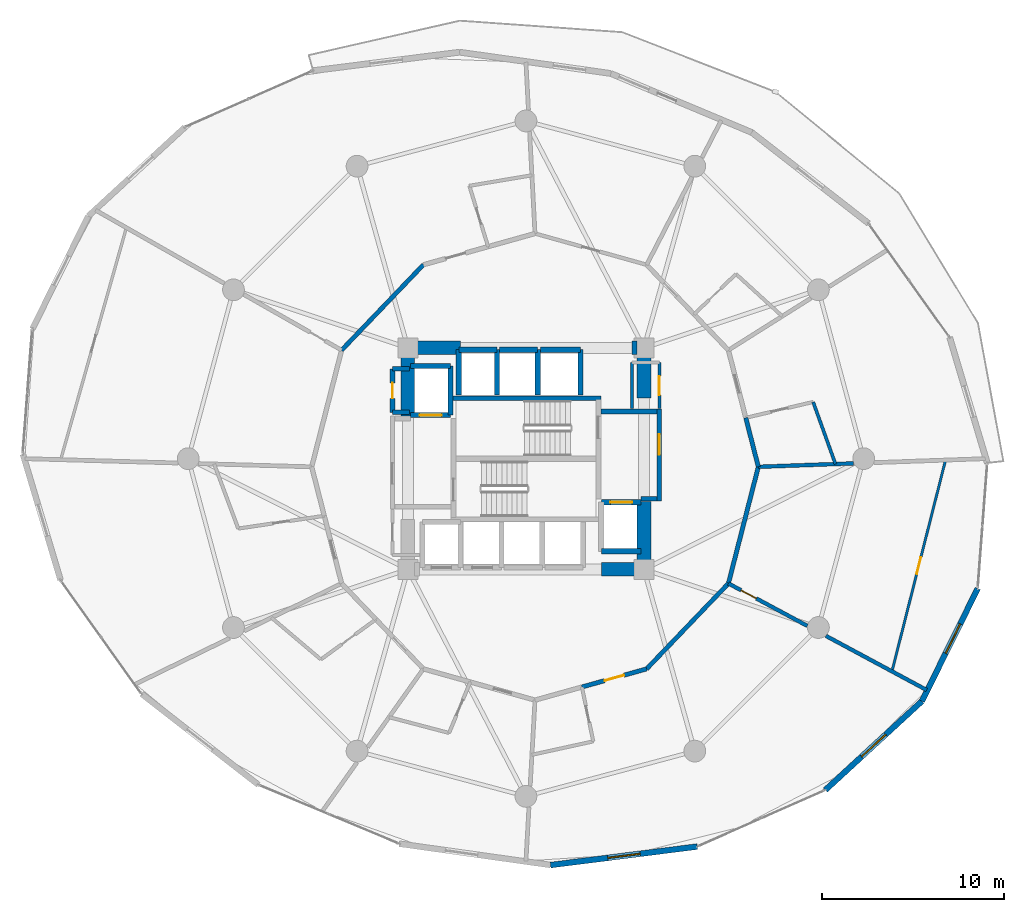
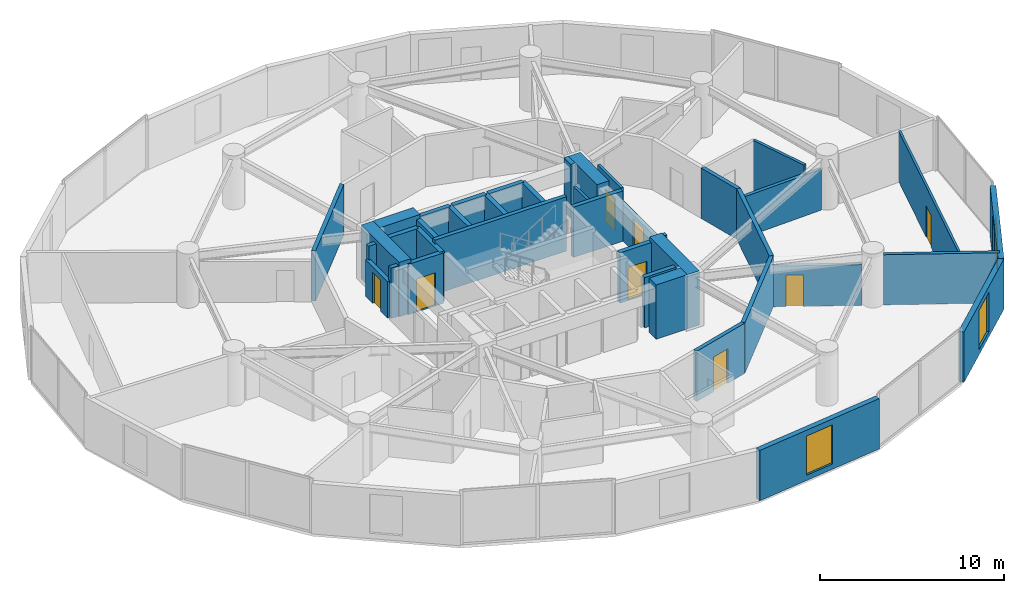
# One storey, part 20 of 25: 40 walls, 8 doors, 3 windows, 11 openings.
"""IFC4 building model written with IfcOpenShell, lengths in metres."""

from ifc_helpers import new_model, si_unit, direction, frame, frame_2d, origin, place, context, subcontext, project, spatial, rectangle, extrude, material, layer, layer_set, type_object, element, fill, save


model = new_model("IFC4")

# Units and contexts
model_context = context("Model", 3, precision=1e-05, world=origin(), true_north=direction((0.0, 1.0)))
body_context = subcontext(model_context, "Body", "Model", "MODEL_VIEW")
ifc_project = project(units=[si_unit("LENGTHUNIT", "METRE"), si_unit("AREAUNIT", "SQUARE_METRE"), si_unit("VOLUMEUNIT", "CUBIC_METRE"), si_unit("PLANEANGLEUNIT", "RADIAN"), si_unit("MASSUNIT", "GRAM", prefix="KILO")], contexts=[model_context])

# Site, building, storey
site_placement = place(None, origin())
site = spatial("IfcSite", under=ifc_project, at=site_placement, CompositionType="ELEMENT")
building_placement = place(site_placement, origin())
building = spatial("IfcBuilding", under=site, at=building_placement, Name="Solvirekh Grand Hotel", CompositionType="ELEMENT")
storey_placement = place(building_placement, frame((0.0, 0.0, 60.800048828125)))
storey = spatial("IfcBuildingStorey", under=building, at=storey_placement, Name="L14", CompositionType="ELEMENT", Elevation=60.800048828125)

# Walls
ifc_material_1 = material(Name="Concrete C50/60", Category="concrete")
ifc_layer_1 = layer(ifc_material_1, 0.35009765625)
ifc_layer_set_1 = layer_set([ifc_layer_1], Name="Concrete C50/60")
wall_type_1 = type_object("IfcWallType", Name="CoreDivWall_RC350", PredefinedType="SOLIDWALL", material=ifc_layer_set_1)
wall_1_placement = place(storey_placement, frame((-4.1298828125, 3.324951171875, 0.0), z_axis=(0.0, 0.0, 1.0), x_axis=(1.0, 0.0, 0.0)))
element("IfcWall", 1, at=wall_1_placement, inside=storey, type_object=wall_type_1, Name="L14 core stair box wall ST-N", PredefinedType="SOLIDWALL", context=body_context, shape_type="SweptSolid", body=[
    extrude(rectangle(XDim=8.259765625, YDim=0.25, at=frame_2d((4.1298828125, 0.0))), origin(), (0.0, 0.0, 1.0), 3.599853515625),
])
ifc_material_2 = material(Name="Concrete C40/50", Category="concrete")
ifc_layer_2 = layer(ifc_material_2, 0.280029296875)
ifc_layer_set_2 = layer_set([ifc_layer_2], Name="Concrete C40/50")
wall_type_2 = type_object("IfcWallType", Name="CoreShaftWall_RC280", PredefinedType="SOLIDWALL", material=ifc_layer_set_2)
wall_2_placement = place(storey_placement, frame((-1.60009765625, 6.0, 0.0), z_axis=(0.0, 0.0, 1.0), x_axis=(-1.0, 0.0, 0.0)))
element("IfcWall", 2, at=wall_2_placement, inside=storey, type_object=wall_type_2, Name="L14 HP-1 hoistway N wall", PredefinedType="SOLIDWALL", context=body_context, shape_type="SweptSolid", body=[
    extrude(rectangle(XDim=2.099853515625, YDim=0.280029296875, at=frame_2d((1.0498046875, 0.0))), origin(), (0.0, 0.0, 1.0), 3.33984375),
])
for number, where, z_axis, x_axis, name in (
    (3, (-3.699951171875, 6.0, 0.0), (0.0, 0.0, 1.0), (0.0, -1.0, 0.0), "L14 HP-1 hoistway W wall"),
    (4, (-1.60009765625, 3.5, 0.0), (0.0, 0.0, 1.0), (0.0, 1.0, 0.0), "L14 HP-1 hoistway E wall"),
):
    element("IfcWall", number, at=place(storey_placement, frame(where, z_axis=z_axis, x_axis=x_axis)), inside=storey, type_object=wall_type_2, Name=name, PredefinedType="SOLIDWALL", context=body_context, shape_type="SweptSolid", body=[
        extrude(rectangle(XDim=2.5, YDim=0.280029296875, at=frame_2d((1.25, 0.0))), origin(), (0.0, 0.0, 1.0), 3.33984375),
    ])
wall_3_placement = place(storey_placement, frame((0.64990234375, 6.0, 0.0), z_axis=(0.0, 0.0, 1.0), x_axis=(-1.0, 0.0, 0.0)))
element("IfcWall", 5, at=wall_3_placement, inside=storey, type_object=wall_type_2, Name="L14 HP-2 hoistway N wall", PredefinedType="SOLIDWALL", context=body_context, shape_type="SweptSolid", body=[
    extrude(rectangle(XDim=2.099853515625, YDim=0.280029296875, at=frame_2d((1.0498046875, 0.0))), origin(), (0.0, 0.0, 1.0), 3.33984375),
])
wall_4_placement = place(storey_placement, frame((0.64990234375, 3.5, 0.0), z_axis=(0.0, 0.0, 1.0), x_axis=(0.0, 1.0, 0.0)))
element("IfcWall", 6, at=wall_4_placement, inside=storey, type_object=wall_type_2, Name="L14 HP-2 hoistway E wall", PredefinedType="SOLIDWALL", context=body_context, shape_type="SweptSolid", body=[
    extrude(rectangle(XDim=2.5, YDim=0.280029296875, at=frame_2d((1.25, 0.0))), origin(), (0.0, 0.0, 1.0), 3.33984375),
])
wall_5_placement = place(storey_placement, frame((3.0, 6.0, 0.0), z_axis=(0.0, 0.0, 1.0), x_axis=(-1.0, 0.0, 0.0)))
element("IfcWall", 7, at=wall_5_placement, inside=storey, type_object=wall_type_2, Name="L14 EX-1 hoistway N wall", PredefinedType="SOLIDWALL", context=body_context, shape_type="SweptSolid", body=[
    extrude(rectangle(XDim=2.199951171875, YDim=0.280029296875, at=frame_2d((1.10009765625, 0.0))), origin(), (0.0, 0.0, 1.0), 3.33984375),
])
wall_6_placement = place(storey_placement, frame((3.0, 3.5, 0.0), z_axis=(0.0, 0.0, 1.0), x_axis=(0.0, 1.0, 0.0)))
element("IfcWall", 8, at=wall_6_placement, inside=storey, type_object=wall_type_2, Name="L14 EX-1 hoistway E wall", PredefinedType="SOLIDWALL", context=body_context, shape_type="SweptSolid", body=[
    extrude(rectangle(XDim=2.5, YDim=0.280029296875, at=frame_2d((1.25, 0.0))), origin(), (0.0, 0.0, 1.0), 3.33984375),
])

# Wall, opening, door
wall_7_placement = place(storey_placement, frame((-6.35009765625, 2.39990234375, 0.0), z_axis=(0.0, 0.0, 1.0), x_axis=(1.0, 0.0, 0.0)))
wall_7 = element("IfcWall", 9, at=wall_7_placement, inside=storey, type_object=wall_type_2, Name="L14 FL-1 hoistway S wall", PredefinedType="SOLIDWALL", context=body_context, shape_type="SweptSolid", body=[
    extrude(rectangle(XDim=2.2001953125, YDim=0.280029296875, at=frame_2d((1.10009765625, 0.0))), origin(), (0.0, 0.0, 1.0), 3.33984375),
])
opening_1_placement = place(wall_7_placement, frame((0.5, 0.0, 0.0)))
opening_1 = element("IfcOpeningElement", 10, at=opening_1_placement, cuts=wall_7, Name="Opening LD02", PredefinedType="OPENING", context=body_context, shape_type="SweptSolid", body=[
    extrude(rectangle(XDim=1.199951171875, YDim=2.199951171875, at=frame_2d((0.60009765625, 1.10009765625))), frame((0.0, 0.14990234375, 0.0), z_axis=(0.0, -1.0, 0.0), x_axis=(1.0, 0.0, 0.0)), (0.0, 0.0, 1.0), 0.300048828125),
])
ifc_material_3 = material(Name="Fire-Rated Steel Door Assembly", Category="steel")
door_type_1 = type_object("IfcDoorType", Name="Door_LiftFF_1200X2200", OperationType="SLIDING_TO_LEFT", PredefinedType="DOOR", material=ifc_material_3)
door_1_placement = place(opening_1_placement, origin())
door_1 = element("IfcDoor", 11, at=door_1_placement, inside=storey, type_object=door_type_1, Name="L14 FL-1 sliding lift landing door", OperationType="SLIDING_TO_LEFT", OverallHeight=2.199951171875, OverallWidth=1.199951171875, PredefinedType="DOOR", context=body_context, shape_type="SweptSolid", body=[
    extrude(rectangle(XDim=1.199951171875, YDim=2.199951171875, at=frame_2d((0.60009765625, 1.10009765625))), frame((0.0, 0.02490234375, 0.0), z_axis=(0.0, -1.0, 0.0), x_axis=(1.0, 0.0, 0.0)), (0.0, 0.0, 1.0), 0.050048828125),
])
fill(opening_1, door_1)

# Walls
wall_8_placement = place(storey_placement, frame((-4.14990234375, 5.10009765625, 0.0), z_axis=(0.0, 0.0, 1.0), x_axis=(-1.0, 0.0, 0.0)))
element("IfcWall", 12, at=wall_8_placement, inside=storey, type_object=wall_type_2, Name="L14 FL-1 hoistway N wall", PredefinedType="SOLIDWALL", context=body_context, shape_type="SweptSolid", body=[
    extrude(rectangle(XDim=2.2001953125, YDim=0.280029296875, at=frame_2d((1.10009765625, 0.0))), origin(), (0.0, 0.0, 1.0), 3.33984375),
])
wall_9_placement = place(storey_placement, frame((-4.14990234375, 2.39990234375, 0.0), z_axis=(0.0, 0.0, 1.0), x_axis=(0.0, 1.0, 0.0)))
element("IfcWall", 13, at=wall_9_placement, inside=storey, type_object=wall_type_2, Name="L14 FL-1 hoistway E wall", PredefinedType="SOLIDWALL", context=body_context, shape_type="SweptSolid", body=[
    extrude(rectangle(XDim=2.7001953125, YDim=0.280029296875, at=frame_2d((1.35009765625, 0.0))), origin(), (0.0, 0.0, 1.0), 3.33984375),
])
wall_10_placement = place(storey_placement, frame((4.14990234375, -5.10009765625, 0.0), z_axis=(0.0, 0.0, 1.0), x_axis=(1.0, 0.0, 0.0)))
element("IfcWall", 14, at=wall_10_placement, inside=storey, type_object=wall_type_2, Name="L14 FL-2 hoistway S wall", PredefinedType="SOLIDWALL", context=body_context, shape_type="SweptSolid", body=[
    extrude(rectangle(XDim=2.2001953125, YDim=0.280029296875, at=frame_2d((1.10009765625, 0.0))), origin(), (0.0, 0.0, 1.0), 3.33984375),
])

# Wall, opening, door
wall_11_placement = place(storey_placement, frame((6.35009765625, -2.39990234375, 0.0), z_axis=(0.0, 0.0, 1.0), x_axis=(-1.0, 0.0, 0.0)))
wall_11 = element("IfcWall", 15, at=wall_11_placement, inside=storey, type_object=wall_type_2, Name="L14 FL-2 hoistway N wall", PredefinedType="SOLIDWALL", context=body_context, shape_type="SweptSolid", body=[
    extrude(rectangle(XDim=2.2001953125, YDim=0.280029296875, at=frame_2d((1.10009765625, 0.0))), origin(), (0.0, 0.0, 1.0), 3.33984375),
])
opening_2_placement = place(wall_11_placement, frame((0.5, 0.0, 0.0)))
opening_2 = element("IfcOpeningElement", 16, at=opening_2_placement, cuts=wall_11, Name="Opening LD02", PredefinedType="OPENING", context=body_context, shape_type="SweptSolid", body=[
    extrude(rectangle(XDim=1.199951171875, YDim=2.199951171875, at=frame_2d((0.60009765625, 1.10009765625))), frame((0.0, 0.14990234375, 0.0), z_axis=(0.0, -1.0, 0.0), x_axis=(1.0, 0.0, 0.0)), (0.0, 0.0, 1.0), 0.300048828125),
])
door_2_placement = place(opening_2_placement, origin())
door_2 = element("IfcDoor", 17, at=door_2_placement, inside=storey, type_object=door_type_1, Name="L14 FL-2 sliding lift landing door", OperationType="SLIDING_TO_LEFT", OverallHeight=2.199951171875, OverallWidth=1.199951171875, PredefinedType="DOOR", context=body_context, shape_type="SweptSolid", body=[
    extrude(rectangle(XDim=1.199951171875, YDim=2.199951171875, at=frame_2d((0.60009765625, 1.10009765625))), frame((0.0, 0.02490234375, 0.0), z_axis=(0.0, -1.0, 0.0), x_axis=(1.0, 0.0, 0.0)), (0.0, 0.0, 1.0), 0.050048828125),
])
fill(opening_2, door_2)

# Walls
ifc_material_4 = material(Name="Concrete C60/75", Category="concrete")
ifc_layer_3 = layer(ifc_material_4, 0.75)
ifc_layer_set_3 = layer_set([ifc_layer_3], Name="Concrete C60/75")
wall_type_3 = type_object("IfcWallType", Name="CoreWall_RC750", PredefinedType="SHEAR", material=ifc_layer_set_3)
wall_12_placement = place(storey_placement, frame((4.14990234375, -6.10009765625, 0.0), z_axis=(0.0, 0.0, 1.0), x_axis=(1.0, 0.0, 0.0)))
element("IfcWall", 18, at=wall_12_placement, inside=storey, type_object=wall_type_3, Name="L14 core corner shear wall SE-S", PredefinedType="SHEAR", context=body_context, shape_type="SweptSolid", body=[
    extrude(rectangle(XDim=1.97509765625, YDim=0.75, at=frame_2d((0.987548828125, 0.0))), origin(), (0.0, 0.0, 1.0), 3.599853515625),
])
wall_13_placement = place(storey_placement, frame((-6.125, 6.10009765625, 0.0), z_axis=(0.0, 0.0, 1.0), x_axis=(1.0, 0.0, 0.0)))
element("IfcWall", 19, at=wall_13_placement, inside=storey, type_object=wall_type_3, Name="L14 core corner shear wall NW-N", PredefinedType="SHEAR", context=body_context, shape_type="SweptSolid", body=[
    extrude(rectangle(XDim=2.52490234375, YDim=0.75, at=frame_2d((1.262451171875, 0.0))), origin(), (0.0, 0.0, 1.0), 3.599853515625),
])
wall_14_placement = place(storey_placement, frame((5.85009765625, 6.10009765625, 0.0), z_axis=(0.0, 0.0, 1.0), x_axis=(1.0, 0.0, 0.0)))
element("IfcWall", 20, at=wall_14_placement, inside=storey, type_object=wall_type_3, Name="L14 core corner shear wall NE-N", PredefinedType="SHEAR", context=body_context, shape_type="SweptSolid", body=[
    extrude(rectangle(XDim=0.27490234375, YDim=0.75, at=frame_2d((0.137451171875, 0.0))), origin(), (0.0, 0.0, 1.0), 3.599853515625),
])
for number, where, z_axis, x_axis, name in (
    (21, (-6.5, 2.35009765625, 0.0), (0.0, 0.0, 1.0), (0.0, 1.0, 0.0), "L14 core corner shear wall WN-W"),
    (22, (6.5, -6.47509765625, 0.0), (0.0, 0.0, 1.0), (0.0, 1.0, 0.0), "L14 core corner shear wall ES-E"),
):
    element("IfcWall", number, at=place(storey_placement, frame(where, z_axis=z_axis, x_axis=x_axis)), inside=storey, type_object=wall_type_3, Name=name, PredefinedType="SHEAR", context=body_context, shape_type="SweptSolid", body=[
        extrude(rectangle(XDim=4.125, YDim=0.75, at=frame_2d((2.0625, 0.0))), origin(), (0.0, 0.0, 1.0), 3.599853515625),
    ])
wall_15_placement = place(storey_placement, frame((6.5, 3.35009765625, 0.0), z_axis=(0.0, 0.0, 1.0), x_axis=(0.0, 1.0, 0.0)))
element("IfcWall", 23, at=wall_15_placement, inside=storey, type_object=wall_type_3, Name="L14 core corner shear wall EN-E", PredefinedType="SHEAR", context=body_context, shape_type="SweptSolid", body=[
    extrude(rectangle(XDim=3.125, YDim=0.75, at=frame_2d((1.5625, 0.0))), origin(), (0.0, 0.0, 1.0), 3.599853515625),
])

# Wall, opening, window
ifc_material_5 = material(Name="Precast concrete C45/55", Category="concrete")
ifc_layer_4 = layer(ifc_material_5, 0.320068359375)
ifc_layer_set_4 = layer_set([ifc_layer_4], Name="Precast concrete C45/55")
wall_type_4 = type_object("IfcWallType", Name="ExtLobbyWall_RC320", PredefinedType="SOLIDWALL", material=ifc_layer_set_4)
wall_16_placement = place(storey_placement, frame((9.43896484375, -21.365966796875, 0.0), z_axis=(0.0, 0.0, 1.0), x_axis=(-0.992137142599, -0.125155464426, 0.0)))
wall_16 = element("IfcWall", 24, at=wall_16_placement, inside=storey, type_object=wall_type_4, Name="L14 exterior structural wall chord 17", PredefinedType="SOLIDWALL", context=body_context, shape_type="SweptSolid", body=[
    extrude(rectangle(XDim=8.14990234375, YDim=0.320068359375, at=frame_2d((4.074951171875, 0.0))), origin(), (0.0, 0.0, 1.0), 3.33984375),
])
opening_3_placement = place(wall_16_placement, frame((3.175048828125, 0.0, 0.35009765625)))
opening_3 = element("IfcOpeningElement", 25, at=opening_3_placement, cuts=wall_16, Name="Opening W02", PredefinedType="OPENING", context=body_context, shape_type="SweptSolid", body=[
    extrude(rectangle(XDim=1.800048828125, YDim=2.60009765625, at=frame_2d((0.89990234375, 1.300048828125))), frame((0.0, 0.169921875, 0.0), z_axis=(0.0, -1.0, 0.0), x_axis=(1.0, 0.0, 0.0)), (0.0, 0.0, 1.0), 0.340087890625),
])
ifc_material_6 = material(Name="Low-E Tinted Bronze Laminated Glass", Category="aluminium")
window_type = type_object("IfcWindowType", Name="Win_LobbyExt_1800X2600", PartitioningType="SINGLE_PANEL", PredefinedType="WINDOW", material=ifc_material_6)
window_1_placement = place(opening_3_placement, origin())
window_1 = element("IfcWindow", 26, at=window_1_placement, inside=storey, type_object=window_type, Name="L14 panoramic bronze-framed window 17", OverallHeight=2.60009765625, OverallWidth=1.800048828125, PartitioningType="SINGLE_PANEL", PredefinedType="WINDOW", context=body_context, shape_type="SweptSolid", body=[
    extrude(rectangle(XDim=1.800048828125, YDim=2.60009765625, at=frame_2d((0.89990234375, 1.300048828125))), frame((0.0, 0.030029296875, 0.0), z_axis=(0.0, -1.0, 0.0), x_axis=(1.0, 0.0, 0.0)), (0.0, 0.0, 1.0), 0.06005859375),
])
fill(opening_3, window_1)

wall_17_placement = place(storey_placement, frame((21.81103515625, -13.35693359375, 0.0), z_axis=(0.0, 0.0, 1.0), x_axis=(-0.735876522022, -0.677115754016, 0.0)))
wall_17 = element("IfcWall", 27, at=wall_17_placement, inside=storey, type_object=wall_type_4, Name="L14 exterior structural wall chord 19", PredefinedType="SOLIDWALL", context=body_context, shape_type="SweptSolid", body=[
    extrude(rectangle(XDim=7.233642578125, YDim=0.320068359375, at=frame_2d((3.61669921875, 0.0))), origin(), (0.0, 0.0, 1.0), 3.33984375),
])
opening_4_placement = place(wall_17_placement, frame((2.717041015625, 0.0, 0.35009765625)))
opening_4 = element("IfcOpeningElement", 28, at=opening_4_placement, cuts=wall_17, Name="Opening W02", PredefinedType="OPENING", context=body_context, shape_type="SweptSolid", body=[
    extrude(rectangle(XDim=1.800048828125, YDim=2.60009765625, at=frame_2d((0.89990234375, 1.300048828125))), frame((0.0, 0.169921875, 0.0), z_axis=(0.0, -1.0, 0.0), x_axis=(1.0, 0.0, 0.0)), (0.0, 0.0, 1.0), 0.340087890625),
])
window_2_placement = place(opening_4_placement, origin())
window_2 = element("IfcWindow", 29, at=window_2_placement, inside=storey, type_object=window_type, Name="L14 panoramic bronze-framed window 19", OverallHeight=2.60009765625, OverallWidth=1.800048828125, PartitioningType="SINGLE_PANEL", PredefinedType="WINDOW", context=body_context, shape_type="SweptSolid", body=[
    extrude(rectangle(XDim=1.800048828125, YDim=2.60009765625, at=frame_2d((0.89990234375, 1.300048828125))), frame((0.0, 0.030029296875, 0.0), z_axis=(0.0, -1.0, 0.0), x_axis=(1.0, 0.0, 0.0)), (0.0, 0.0, 1.0), 0.06005859375),
])
fill(opening_4, window_2)

wall_18_placement = place(storey_placement, frame((24.885986328125, -7.152099609375, 0.0), z_axis=(0.0, 0.0, 1.0), x_axis=(-0.444037823644, -0.896008041914, 0.0)))
wall_18 = element("IfcWall", 30, at=wall_18_placement, inside=storey, type_object=wall_type_4, Name="L14 exterior structural wall chord 20", PredefinedType="SOLIDWALL", context=body_context, shape_type="SweptSolid", body=[
    extrude(rectangle(XDim=6.925048828125, YDim=0.320068359375, at=frame_2d((3.46240234375, 0.0))), origin(), (0.0, 0.0, 1.0), 3.33984375),
])
opening_5_placement = place(wall_18_placement, frame((2.179931640625, 0.0, 0.35009765625)))
opening_5 = element("IfcOpeningElement", 31, at=opening_5_placement, cuts=wall_18, Name="Opening W02", PredefinedType="OPENING", context=body_context, shape_type="SweptSolid", body=[
    extrude(rectangle(XDim=1.800048828125, YDim=2.60009765625, at=frame_2d((0.89990234375, 1.300048828125))), frame((0.0, 0.169921875, 0.0), z_axis=(0.0, -1.0, 0.0), x_axis=(1.0, 0.0, 0.0)), (0.0, 0.0, 1.0), 0.340087890625),
])
window_3_placement = place(opening_5_placement, origin())
window_3 = element("IfcWindow", 32, at=window_3_placement, inside=storey, type_object=window_type, Name="L14 panoramic bronze-framed window 20", OverallHeight=2.60009765625, OverallWidth=1.800048828125, PartitioningType="SINGLE_PANEL", PredefinedType="WINDOW", context=body_context, shape_type="SweptSolid", body=[
    extrude(rectangle(XDim=1.800048828125, YDim=2.60009765625, at=frame_2d((0.89990234375, 1.300048828125))), frame((0.0, 0.030029296875, 0.0), z_axis=(0.0, -1.0, 0.0), x_axis=(1.0, 0.0, 0.0)), (0.0, 0.0, 1.0), 0.06005859375),
])
fill(opening_5, window_3)

# Wall, opening, door
ifc_material_7 = material(Name="Acoustic Gypsum Partition Assembly")
ifc_layer_5 = layer(ifc_material_7, 0.1650390625)
ifc_layer_set_5 = layer_set([ifc_layer_5], Name="Acoustic Gypsum Partition Assembly")
wall_type_5 = type_object("IfcWallType", Name="Part_BOH_165", PredefinedType="PARTITIONING", material=ifc_layer_set_5)
wall_19_placement = place(storey_placement, frame((7.35009765625, 2.75, 0.0), z_axis=(0.0, 0.0, 1.0), x_axis=(0.0, 1.0, 0.0)))
wall_19 = element("IfcWall", 33, at=wall_19_placement, inside=storey, type_object=wall_type_5, Name="L14 L14 Telecom Distribution Room wall 2", PredefinedType="PARTITIONING", context=body_context, shape_type="SweptSolid", body=[
    extrude(rectangle(XDim=2.550048828125, YDim=0.1650390625, at=frame_2d((1.27490234375, 0.0))), origin(), (0.0, 0.0, 1.0), 3.33984375),
])
opening_6_placement = place(wall_19_placement, frame((0.75, 0.0, 0.0)))
opening_6 = element("IfcOpeningElement", 34, at=opening_6_placement, cuts=wall_19, Name="Opening D12", PredefinedType="OPENING", context=body_context, shape_type="SweptSolid", body=[
    extrude(rectangle(XDim=1.050048828125, YDim=2.14990234375, at=frame_2d((0.52490234375, 1.074951171875))), frame((0.0, 0.092529296875, 0.0), z_axis=(0.0, -1.0, 0.0), x_axis=(1.0, 0.0, 0.0)), (0.0, 0.0, 1.0), 0.18505859375),
])
door_type_2 = type_object("IfcDoorType", Name="Door_PlantBOH_1050X2150", OperationType="NOTDEFINED", PredefinedType="DOOR", material=ifc_material_3)
door_3_placement = place(opening_6_placement, origin())
door_3 = element("IfcDoor", 35, at=door_3_placement, inside=storey, type_object=door_type_2, Name="L14 L14 Telecom Distribution Room door", OperationType="SINGLE_SWING_RIGHT", OverallHeight=2.14990234375, OverallWidth=1.050048828125, PredefinedType="DOOR", context=body_context, shape_type="SweptSolid", body=[
    extrude(rectangle(XDim=1.050048828125, YDim=2.14990234375, at=frame_2d((0.52490234375, 1.074951171875))), frame((0.0, 0.02490234375, 0.0), z_axis=(0.0, -1.0, 0.0), x_axis=(1.0, 0.0, 0.0)), (0.0, 0.0, 1.0), 0.050048828125),
])
fill(opening_6, door_3)

# Wall
wall_20_placement = place(storey_placement, frame((5.85009765625, 5.300048828125, 0.0), z_axis=(0.0, 0.0, 1.0), x_axis=(0.0, -1.0, 0.0)))
element("IfcWall", 36, at=wall_20_placement, inside=storey, type_object=wall_type_5, Name="L14 L14 Telecom Distribution Room wall 4", PredefinedType="PARTITIONING", context=body_context, shape_type="SweptSolid", body=[
    extrude(rectangle(XDim=2.550048828125, YDim=0.1650390625, at=frame_2d((1.27490234375, 0.0))), origin(), (0.0, 0.0, 1.0), 2.425048828125),
])

# Wall, opening, door
ifc_layer_6 = layer(ifc_material_7, 0.239990234375)
ifc_layer_set_6 = layer_set([ifc_layer_6], Name="Acoustic Gypsum Partition Assembly")
wall_type_6 = type_object("IfcWallType", Name="Part_Corridor_240", PredefinedType="PARTITIONING", material=ifc_layer_set_6)
wall_21_placement = place(storey_placement, frame((7.35009765625, -2.340087890625, 0.0), z_axis=(0.0, 0.0, 1.0), x_axis=(0.0, 1.0, 0.0)))
wall_21 = element("IfcWall", 37, at=wall_21_placement, inside=storey, type_object=wall_type_6, Name="L14 east firefighting lobby smoke screen wall", PredefinedType="PARTITIONING", context=body_context, shape_type="SweptSolid", body=[
    extrude(rectangle(XDim=5.070068359375, YDim=0.239990234375, at=frame_2d((2.53515625, 0.0))), origin(), (0.0, 0.0, 1.0), 2.425048828125),
])
opening_7_placement = place(wall_21_placement, frame((2.548095703125, 0.0, 0.0)))
opening_7 = element("IfcOpeningElement", 38, at=opening_7_placement, cuts=wall_21, Name="Opening D06", PredefinedType="OPENING", context=body_context, shape_type="SweptSolid", body=[
    extrude(rectangle(XDim=1.14990234375, YDim=2.199951171875, at=frame_2d((0.574951171875, 1.10009765625))), frame((0.0, 0.1298828125, 0.0), z_axis=(0.0, -1.0, 0.0), x_axis=(1.0, 0.0, 0.0)), (0.0, 0.0, 1.0), 0.260009765625),
])
door_type_3 = type_object("IfcDoorType", Name="Door_FFLobby_1150X2200", OperationType="NOTDEFINED", PredefinedType="DOOR", material=ifc_material_3)
door_4_placement = place(opening_7_placement, origin())
door_4 = element("IfcDoor", 39, at=door_4_placement, inside=storey, type_object=door_type_3, Name="L14 east firefighting lobby smoke door", OperationType="SINGLE_SWING_LEFT", OverallHeight=2.199951171875, OverallWidth=1.14990234375, PredefinedType="DOOR", context=body_context, shape_type="SweptSolid", body=[
    extrude(rectangle(XDim=1.14990234375, YDim=2.199951171875, at=frame_2d((0.574951171875, 1.10009765625))), frame((0.0, 0.02490234375, 0.0), z_axis=(0.0, -1.0, 0.0), x_axis=(1.0, 0.0, 0.0)), (0.0, 0.0, 1.0), 0.050048828125),
])
fill(opening_7, door_4)

# Walls
for number, where, z_axis, x_axis, name in (
    (40, (-5.64990234375, 10.677978515625, 0.0), (0.0, 0.0, 1.0), (-0.691526541012, -0.72235105252, 0.0), "L14 Diplomatic Suite 1601 Living Room corridor wall 1"),
    (41, (6.64990234375, -11.577880859375, 0.0), (0.0, 0.0, 1.0), (0.691526541012, 0.72235105252, 0.0), "L14 Diplomatic Suite 1605 Living Room corridor wall 1"),
):
    element("IfcWall", number, at=place(storey_placement, frame(where, z_axis=z_axis, x_axis=x_axis)), inside=storey, type_object=wall_type_6, Name=name, PredefinedType="PARTITIONING", context=body_context, shape_type="SweptSolid", body=[
        extrude(rectangle(XDim=6.510498046875, YDim=0.239990234375, at=frame_2d((3.25537109375, 0.0))), origin(), (0.0, 0.0, 1.0), 3.33984375),
    ])

# Wall, opening, door
wall_22_placement = place(storey_placement, frame((3.0830078125, -12.576904296875, 0.0), z_axis=(0.0, 0.0, 1.0), x_axis=(0.962943481199, 0.269703266603, 0.0)))
wall_22 = element("IfcWall", 42, at=wall_22_placement, inside=storey, type_object=wall_type_6, Name="L14 Diplomatic Suite 1605 Living Room entrance wall", PredefinedType="PARTITIONING", context=body_context, shape_type="SweptSolid", body=[
    extrude(rectangle(XDim=3.7041015625, YDim=0.239990234375, at=frame_2d((1.85205078125, 0.0))), origin(), (0.0, 0.0, 1.0), 3.33984375),
])
opening_8_placement = place(wall_22_placement, frame((1.302001953125, 0.0, 0.0)))
opening_8 = element("IfcOpeningElement", 43, at=opening_8_placement, cuts=wall_22, Name="Opening D08", PredefinedType="OPENING", context=body_context, shape_type="SweptSolid", body=[
    extrude(rectangle(XDim=1.10009765625, YDim=2.300048828125, at=frame_2d((0.550048828125, 1.14990234375))), frame((0.0, 0.1298828125, 0.0), z_axis=(0.0, -1.0, 0.0), x_axis=(1.0, 0.0, 0.0)), (0.0, 0.0, 1.0), 0.260009765625),
])
door_type_4 = type_object("IfcDoorType", Name="Door_SuiteEntry_1100X2300", OperationType="NOTDEFINED", PredefinedType="DOOR", material=ifc_material_3)
door_5_placement = place(opening_8_placement, origin())
door_5 = element("IfcDoor", 44, at=door_5_placement, inside=storey, type_object=door_type_4, Name="L14 Diplomatic Suite 1605 Living Room entrance door", OperationType="SINGLE_SWING_RIGHT", OverallHeight=2.300048828125, OverallWidth=1.10009765625, PredefinedType="DOOR", context=body_context, shape_type="SweptSolid", body=[
    extrude(rectangle(XDim=1.10009765625, YDim=2.300048828125, at=frame_2d((0.550048828125, 1.14990234375))), frame((0.0, 0.02490234375, 0.0), z_axis=(0.0, -1.0, 0.0), x_axis=(1.0, 0.0, 0.0)), (0.0, 0.0, 1.0), 0.050048828125),
])
fill(opening_8, door_5)

# Walls
wall_23_placement = place(storey_placement, frame((11.152099609375, -6.875, 0.0), z_axis=(0.0, 0.0, 1.0), x_axis=(0.248446193127, 0.968645698447, 0.0)))
element("IfcWall", 45, at=wall_23_placement, inside=storey, type_object=wall_type_6, Name="L14 Diplomatic Suite 1605 Suite Foyer corridor enclosure wall", PredefinedType="PARTITIONING", context=body_context, shape_type="SweptSolid", body=[
    extrude(rectangle(XDim=6.633056640625, YDim=0.239990234375, at=frame_2d((3.31640625, 0.0))), origin(), (0.0, 0.0, 1.0), 3.33984375),
])
wall_24_placement = place(storey_placement, frame((12.800048828125, -0.449951171875, 0.0), z_axis=(0.0, 0.0, 1.0), x_axis=(-0.248491333658, 0.968634119313, 0.0)))
element("IfcWall", 46, at=wall_24_placement, inside=storey, type_object=wall_type_6, Name="L14 En-suite Bathroom 1606 corridor backing wall", PredefinedType="PARTITIONING", context=body_context, shape_type="SweptSolid", body=[
    extrude(rectangle(XDim=2.785400390625, YDim=0.239990234375, at=frame_2d((1.392578125, 0.0))), origin(), (0.0, 0.0, 1.0), 3.33984375),
])
ifc_layer_7 = layer(ifc_material_7, 0.260009765625)
ifc_layer_set_7 = layer_set([ifc_layer_7], Name="Acoustic Gypsum Partition Assembly")
wall_type_7 = type_object("IfcWallType", Name="Part_LobbyFF_260", PredefinedType="PARTITIONING", material=ifc_layer_set_7)
wall_25_placement = place(storey_placement, frame((6.35009765625, -2.2099609375, 0.0), z_axis=(0.0, 0.0, 1.0), x_axis=(1.0, 0.0, 0.0)))
element("IfcWall", 47, at=wall_25_placement, inside=storey, type_object=wall_type_7, Name="L14 east firefighting lobby SE cheek", PredefinedType="PARTITIONING", context=body_context, shape_type="SweptSolid", body=[
    extrude(rectangle(XDim=0.875, YDim=0.260009765625, at=frame_2d((0.4375, 0.0))), origin(), (0.0, 0.0, 1.0), 3.33984375),
])
wall_26_placement = place(storey_placement, frame((4.1298828125, 2.60009765625, 0.0), z_axis=(0.0, 0.0, 1.0), x_axis=(1.0, 0.0, 0.0)))
element("IfcWall", 48, at=wall_26_placement, inside=storey, type_object=wall_type_7, Name="L14 east firefighting lobby north partition", PredefinedType="PARTITIONING", context=body_context, shape_type="SweptSolid", body=[
    extrude(rectangle(XDim=3.09521484375, YDim=0.260009765625, at=frame_2d((1.547607421875, 0.0))), origin(), (0.0, 0.0, 1.0), 3.33984375),
])
for number, where, z_axis, x_axis, name in (
    (49, (-7.35009765625, 4.949951171875, 0.0), (0.0, 0.0, 1.0), (1.0, 0.0, 0.0), "L14 NW telecom metering cupboard north wall"),
    (50, (-7.35009765625, 2.550048828125, 0.0), (0.0, 0.0, 1.0), (1.0, 0.0, 0.0), "L14 NW telecom metering cupboard south wall"),
):
    element("IfcWall", number, at=place(storey_placement, frame(where, z_axis=z_axis, x_axis=x_axis)), inside=storey, type_object=wall_type_7, Name=name, PredefinedType="PARTITIONING", context=body_context, shape_type="SweptSolid", body=[
        extrude(rectangle(XDim=0.93017578125, YDim=0.260009765625, at=frame_2d((0.465087890625, 0.0))), origin(), (0.0, 0.0, 1.0), 3.33984375),
    ])

# Wall, opening, door
wall_27_placement = place(storey_placement, frame((-7.35009765625, 2.550048828125, 0.0), z_axis=(0.0, 0.0, 1.0), x_axis=(0.0, 1.0, 0.0)))
wall_27 = element("IfcWall", 51, at=wall_27_placement, inside=storey, type_object=wall_type_7, Name="L14 NW telecom metering cupboard access wall", PredefinedType="PARTITIONING", context=body_context, shape_type="SweptSolid", body=[
    extrude(rectangle(XDim=2.39990234375, YDim=0.260009765625, at=frame_2d((1.199951171875, 0.0))), origin(), (0.0, 0.0, 1.0), 2.425048828125),
])
opening_9_placement = place(wall_27_placement, frame((0.77490234375, 0.0, 0.0)))
opening_9 = element("IfcOpeningElement", 52, at=opening_9_placement, cuts=wall_27, Name="Opening D13", PredefinedType="OPENING", context=body_context, shape_type="SweptSolid", body=[
    extrude(rectangle(XDim=0.85009765625, YDim=2.050048828125, at=frame_2d((0.425048828125, 1.02490234375))), frame((0.0, 0.14013671875, 0.0), z_axis=(0.0, -1.0, 0.0), x_axis=(1.0, 0.0, 0.0)), (0.0, 0.0, 1.0), 0.280029296875),
])
door_type_5 = type_object("IfcDoorType", Name="Door_RiserShaft_850X2050", OperationType="NOTDEFINED", PredefinedType="DOOR", material=ifc_material_3)
door_6_placement = place(opening_9_placement, origin())
door_6 = element("IfcDoor", 53, at=door_6_placement, inside=storey, type_object=door_type_5, Name="L14 telecom metering cupboard access door", OperationType="SINGLE_SWING_RIGHT", OverallHeight=2.050048828125, OverallWidth=0.85009765625, PredefinedType="DOOR", context=body_context, shape_type="SweptSolid", body=[
    extrude(rectangle(XDim=0.85009765625, YDim=2.050048828125, at=frame_2d((0.425048828125, 1.02490234375))), frame((0.0, 0.02490234375, 0.0), z_axis=(0.0, -1.0, 0.0), x_axis=(1.0, 0.0, 0.0)), (0.0, 0.0, 1.0), 0.050048828125),
])
fill(opening_9, door_6)

ifc_layer_8 = layer(ifc_material_7, 0.135009765625)
ifc_layer_set_8 = layer_set([ifc_layer_8], Name="Acoustic Gypsum Partition Assembly")
wall_type_8 = type_object("IfcWallType", Name="Part_RoomInt_135", PredefinedType="PARTITIONING", material=ifc_layer_set_8)
wall_28_placement = place(storey_placement, frame((20.159912109375, -11.716064453125, 0.0), z_axis=(0.0, 0.0, 1.0), x_axis=(0.245821486201, 0.969315117453, 0.0)))
wall_28 = element("IfcWall", 54, at=wall_28_placement, inside=storey, type_object=wall_type_8, Name="L14 Diplomatic Suite 1605 Suite Foyer bedroom screen wall", PredefinedType="PARTITIONING", context=body_context, shape_type="SweptSolid", body=[
    extrude(rectangle(XDim=12.00537109375, YDim=0.135009765625, at=frame_2d((6.002685546875, 0.0))), origin(), (0.0, 0.0, 1.0), 3.33984375),
])
opening_10_placement = place(wall_28_placement, frame((5.528076171875, 0.0, 0.0)))
opening_10 = element("IfcOpeningElement", 55, at=opening_10_placement, cuts=wall_28, Name="Opening D10", PredefinedType="OPENING", context=body_context, shape_type="SweptSolid", body=[
    extrude(rectangle(XDim=0.949951171875, YDim=2.10009765625, at=frame_2d((0.47509765625, 1.050048828125))), frame((0.0, 0.07763671875, 0.0), z_axis=(0.0, -1.0, 0.0), x_axis=(1.0, 0.0, 0.0)), (0.0, 0.0, 1.0), 0.155029296875),
])
ifc_material_8 = material(Name="Anodized Bronze Aluminium 6063-T6", Category="aluminium")
door_type_6 = type_object("IfcDoorType", Name="Door_RoomInt_950X2100", OperationType="NOTDEFINED", PredefinedType="DOOR", material=ifc_material_8)
door_7_placement = place(opening_10_placement, origin())
door_7 = element("IfcDoor", 56, at=door_7_placement, inside=storey, type_object=door_type_6, Name="L14 Diplomatic Suite 1605 Suite Foyer master bedroom door", OperationType="SINGLE_SWING_RIGHT", OverallHeight=2.10009765625, OverallWidth=0.949951171875, PredefinedType="DOOR", context=body_context, shape_type="SweptSolid", body=[
    extrude(rectangle(XDim=0.949951171875, YDim=2.10009765625, at=frame_2d((0.47509765625, 1.050048828125))), frame((0.0, 0.02490234375, 0.0), z_axis=(0.0, -1.0, 0.0), x_axis=(1.0, 0.0, 0.0)), (0.0, 0.0, 1.0), 0.050048828125),
])
fill(opening_10, door_7)

# Wall
ifc_layer_9 = layer(ifc_material_7, 0.2099609375)
ifc_layer_set_9 = layer_set([ifc_layer_9], Name="Acoustic Gypsum Partition Assembly")
wall_type_9 = type_object("IfcWallType", Name="Part_SuiteDemise_210", PredefinedType="PARTITIONING", material=ifc_layer_set_9)
wall_29_placement = place(storey_placement, frame((12.800048828125, -0.449951171875, 0.0), z_axis=(0.0, 0.0, 1.0), x_axis=(0.999349913371, 0.03605205467, 0.0)))
element("IfcWall", 57, at=wall_29_placement, inside=storey, type_object=wall_type_9, Name="L14 suite radial wall 1 (A)", PredefinedType="PARTITIONING", context=body_context, shape_type="SweptSolid", body=[
    extrude(rectangle(XDim=5.241455078125, YDim=0.2099609375, at=frame_2d((2.62060546875, 0.0))), origin(), (0.0, 0.0, 1.0), 2.708984375),
])

# Wall, opening, door
wall_30_placement = place(storey_placement, frame((11.152099609375, -6.875, 0.0), z_axis=(0.0, 0.0, 1.0), x_axis=(0.880857176103, -0.473382123984, 0.0)))
wall_30 = element("IfcWall", 58, at=wall_30_placement, inside=storey, type_object=wall_type_9, Name="L14 suite radial wall 12 (A)", PredefinedType="PARTITIONING", context=body_context, shape_type="SweptSolid", body=[
    extrude(rectangle(XDim=4.930419921875, YDim=0.2099609375, at=frame_2d((2.46533203125, 0.0))), origin(), (0.0, 0.0, 1.0), 2.708984375),
])
opening_11_placement = place(wall_30_placement, frame((0.7958984375, 0.0, 0.0)))
opening_11 = element("IfcOpeningElement", 59, at=opening_11_placement, cuts=wall_30, Name="Opening D10", PredefinedType="OPENING", context=body_context, shape_type="SweptSolid", body=[
    extrude(rectangle(XDim=0.949951171875, YDim=2.10009765625, at=frame_2d((0.47509765625, 1.050048828125))), frame((0.0, 0.114990234375, 0.0), z_axis=(0.0, -1.0, 0.0), x_axis=(1.0, 0.0, 0.0)), (0.0, 0.0, 1.0), 0.22998046875),
])
door_8_placement = place(opening_11_placement, origin())
door_8 = element("IfcDoor", 60, at=door_8_placement, inside=storey, type_object=door_type_6, Name="L14 Diplomatic Suite 1605 Suite Foyer suite connecting door", OperationType="SINGLE_SWING_LEFT", OverallHeight=2.10009765625, OverallWidth=0.949951171875, PredefinedType="DOOR", context=body_context, shape_type="SweptSolid", body=[
    extrude(rectangle(XDim=0.949951171875, YDim=2.10009765625, at=frame_2d((0.47509765625, 1.050048828125))), frame((0.0, 0.02490234375, 0.0), z_axis=(0.0, -1.0, 0.0), x_axis=(1.0, 0.0, 0.0)), (0.0, 0.0, 1.0), 0.050048828125),
])
fill(opening_11, door_8)

# Walls
wall_31_placement = place(storey_placement, frame((16.52197265625, -9.760986328125, 0.0), z_axis=(0.0, 0.0, 1.0), x_axis=(0.880870251888, -0.473357792097, 0.0)))
element("IfcWall", 61, at=wall_31_placement, inside=storey, type_object=wall_type_9, Name="L14 suite radial wall 12 (B)", PredefinedType="PARTITIONING", context=body_context, shape_type="SweptSolid", body=[
    extrude(rectangle(XDim=6.299560546875, YDim=0.2099609375, at=frame_2d((3.14990234375, 0.0))), origin(), (0.0, 0.0, 1.0), 3.33984375),
])
ifc_layer_10 = layer(ifc_material_7, 0.175048828125)
ifc_layer_set_10 = layer_set([ifc_layer_10], Name="Acoustic Gypsum Partition Assembly")
wall_type_10 = type_object("IfcWallType", Name="Plumb_Ensuite_175", PredefinedType="PLUMBINGWALL", material=ifc_layer_set_10)
wall_32_placement = place(storey_placement, frame((17.049072265625, -0.297119140625, 0.0), z_axis=(0.0, 0.0, 1.0), x_axis=(-0.338731363066, 0.940883129658, 0.0)))
element("IfcWall", 62, at=wall_32_placement, inside=storey, type_object=wall_type_10, Name="L14 En-suite Bathroom 1606 outer plumbing wall", PredefinedType="PLUMBINGWALL", context=body_context, shape_type="SweptSolid", body=[
    extrude(rectangle(XDim=3.634033203125, YDim=0.175048828125, at=frame_2d((1.81689453125, 0.0))), origin(), (0.0, 0.0, 1.0), 3.33984375),
])

save(model, "model.ifc")
